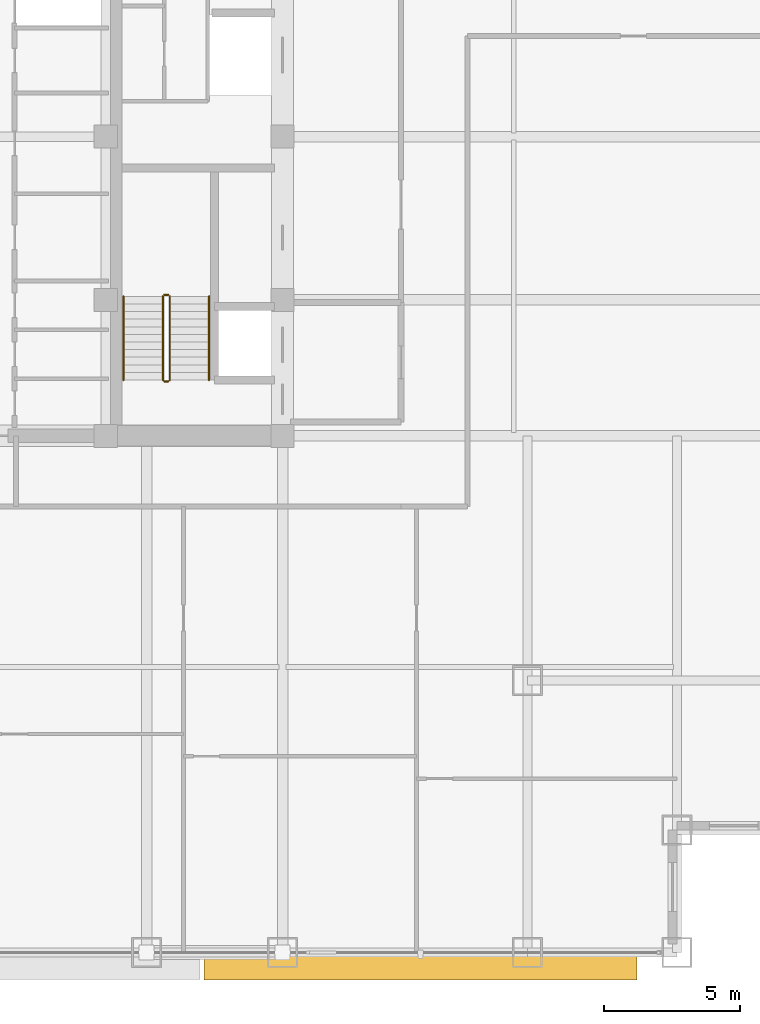
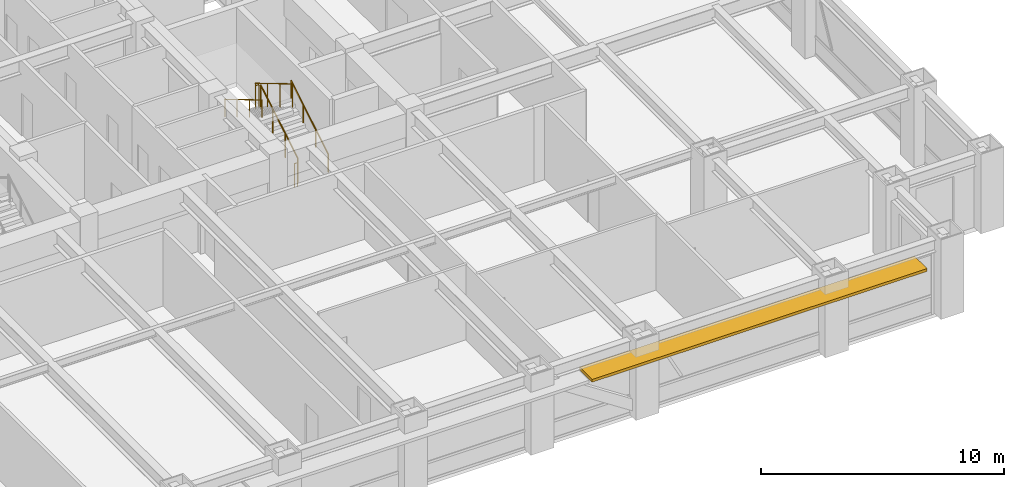
# One storey, part 26 of 28: 6 railings, 1 shading device.
"""IFC4 building model written with IfcOpenShell, lengths in metres."""

from ifc_helpers import new_model, si_unit, direction, frame, origin, origin_2d, place, context, subcontext, project, spatial, rectangle, circle, extrude, source, transform, mapped, material, layer, layer_set, type_object, element, save


model = new_model("IFC4")

# Units and contexts
model_context = context("Model", 3, precision=1e-05, world=origin(), true_north=direction((0.0, 1.0)))
body_context = subcontext(model_context, "Body", "Model", "MODEL_VIEW")
ifc_project = project(units=[si_unit("LENGTHUNIT", "METRE"), si_unit("AREAUNIT", "SQUARE_METRE"), si_unit("VOLUMEUNIT", "CUBIC_METRE"), si_unit("PLANEANGLEUNIT", "RADIAN"), si_unit("MASSUNIT", "GRAM", prefix="KILO")], contexts=[model_context])

# Site, building, storey
site_placement = place(None, origin())
site = spatial("IfcSite", under=ifc_project, at=site_placement, CompositionType="ELEMENT")
building_placement = place(site_placement, origin())
building = spatial("IfcBuilding", under=site, at=building_placement, Name="Khorayat Bourse Tower", CompositionType="ELEMENT")
storey_placement = place(building_placement, frame((0.0, 0.0, 191.10009765625)))
storey = spatial("IfcBuildingStorey", under=building, at=storey_placement, Name="L44", CompositionType="ELEMENT", Elevation=191.10009765625)

# Shading device
ifc_material_1 = material(Name="Precast concrete C45/55", Category="concrete")
ifc_layer = layer(ifc_material_1, 0.139892578125)
ifc_layer_set = layer_set([ifc_layer], Name="Precast concrete C45/55")
shading_device_type = type_object("IfcShadingDeviceType", Name="SHD-WAVE-TRAY-A", PredefinedType="USERDEFINED", material=ifc_layer_set)
shared_shape_1 = source(origin(), body_context, "Body", "SweptSolid", [
    extrude(rectangle(XDim=15.9267578125, YDim=1.02978515625, at=origin_2d()), origin(), (0.0, 0.0, 1.0), 0.139892578125),
])
shading_device_placement = place(storey_placement, frame((16.066650390625, -30.494873046875, 3.02978515625), z_axis=(0.0, 0.0, 1.0), x_axis=(1.0, 0.0, 0.0)))
element("IfcShadingDevice", 1, at=shading_device_placement, inside=storey, type_object=shading_device_type, Name="L44 Sinusoidal Wave Sunshade Tray S-3", ObjectType="SUNSHADE", PredefinedType="USERDEFINED", context=body_context, shape_type="MappedRepresentation", body=[
    mapped(shared_shape_1, transform((0.0, 0.0, 0.0), scale=1.0)),
])

# Railings
ifc_material_2 = material(Name="Powder-coated steel balustrade", Category="steel")
railing_type_1 = type_object("IfcRailingType", Name="RLG-GUARD-1200", PredefinedType="GUARDRAIL", material=ifc_material_2)
shared_shape_2 = source(origin(), body_context, "Body", "SweptSolid", [
    extrude(circle(Radius=0.02392578125, at=origin_2d()), frame((0.0, 0.0, 1.17578125), z_axis=(-1.0, 0.0, 0.0), x_axis=(0.0, -1.0, 0.0)), (0.0, 0.0, 1.0), 0.150146484375),
    extrude(circle(Radius=0.02099609375, at=origin_2d()), origin(), (0.0, 0.0, 1.0), 1.15185546875),
    extrude(circle(Radius=0.02099609375, at=origin_2d()), frame((-0.150146484375, 0.0, 0.0)), (0.0, 0.0, 1.0), 1.15185546875),
])
for number, where, name in (
    (2, (6.800048828125, -5.820068359375, 2.0), "L44 ST-3 stair guard 2"),
    (3, (6.800048828125, -9.0, 0.0), "L44 ST-3 stair guard 4"),
):
    element("IfcRailing", number, at=place(storey_placement, frame(where)), inside=storey, type_object=railing_type_1, Name=name, PredefinedType="GUARDRAIL", context=body_context, shape_type="MappedRepresentation", body=[
        mapped(shared_shape_2, transform((0.0, 0.0, 0.0), scale=1.0)),
    ])
shared_shape_3 = source(origin(), body_context, "Body", "SweptSolid", [
    extrude(circle(Radius=0.02392578125, at=origin_2d()), frame((0.0, 0.0, 1.17578125), z_axis=(0.0, 0.859260807169, 0.511537745687), x_axis=(-1.0, 0.0, 0.0)), (0.0, 0.0, 1.0), 3.584228515625),
    extrude(circle(Radius=0.02099609375, at=origin_2d()), origin(), (0.0, 0.0, 1.0), 1.15185546875),
    extrude(circle(Radius=0.02099609375, at=origin_2d()), frame((0.0, 1.026611328125, 0.611083984375)), (0.0, 0.0, 1.0), 1.15185546875),
    extrude(circle(Radius=0.02099609375, at=origin_2d()), frame((0.0, 2.05322265625, 1.222412109375)), (0.0, 0.0, 1.0), 1.15185546875),
    extrude(circle(Radius=0.02099609375, at=origin_2d()), frame((0.0, 3.079833984375, 1.83349609375)), (0.0, 0.0, 1.0), 1.15185546875),
])
railing_1_placement = place(storey_placement, frame((6.85009765625, -8.949951171875, 0.16650390625)))
element("IfcRailing", 4, at=railing_1_placement, inside=storey, type_object=railing_type_1, Name="L44 ST-3 stair guard 1", PredefinedType="GUARDRAIL", context=body_context, shape_type="MappedRepresentation", body=[
    mapped(shared_shape_3, transform((0.0, 0.0, 0.0), scale=1.0)),
])
shared_shape_4 = source(origin(), body_context, "Body", "SweptSolid", [
    extrude(circle(Radius=0.02392578125, at=origin_2d()), frame((0.0, 0.0, 1.17578125), z_axis=(0.0, -0.859260807169, 0.511537745687), x_axis=(1.0, 0.0, 0.0)), (0.0, 0.0, 1.0), 3.584228515625),
    extrude(circle(Radius=0.02099609375, at=origin_2d()), origin(), (0.0, 0.0, 1.0), 1.15185546875),
    extrude(circle(Radius=0.02099609375, at=origin_2d()), frame((0.0, -1.026611328125, 0.611083984375)), (0.0, 0.0, 1.0), 1.15185546875),
    extrude(circle(Radius=0.02099609375, at=origin_2d()), frame((0.0, -2.05322265625, 1.222412109375)), (0.0, 0.0, 1.0), 1.15185546875),
    extrude(circle(Radius=0.02099609375, at=origin_2d()), frame((0.0, -3.079833984375, 1.83349609375)), (0.0, 0.0, 1.0), 1.15185546875),
])
railing_2_placement = place(storey_placement, frame((6.60009765625, -5.8701171875, 2.16650390625)))
element("IfcRailing", 5, at=railing_2_placement, inside=storey, type_object=railing_type_1, Name="L44 ST-3 stair guard 3", PredefinedType="GUARDRAIL", context=body_context, shape_type="MappedRepresentation", body=[
    mapped(shared_shape_4, transform((0.0, 0.0, 0.0), scale=1.0)),
])
ifc_material_3 = material(Name="Brushed bronze stainless-steel handrail", Category="steel")
railing_type_2 = type_object("IfcRailingType", Name="RLG-HAND-900", PredefinedType="HANDRAIL", material=ifc_material_3)
shared_shape_5 = source(origin(), body_context, "Body", "SweptSolid", [
    extrude(circle(Radius=0.02392578125, at=origin_2d()), frame((0.0, 0.0, 0.8759765625), z_axis=(0.0, 0.859260807169, 0.511537745687), x_axis=(-1.0, 0.0, 0.0)), (0.0, 0.0, 1.0), 3.584228515625),
    extrude(circle(Radius=0.02099609375, at=origin_2d()), origin(), (0.0, 0.0, 1.0), 0.851806640625),
    extrude(circle(Radius=0.02099609375, at=origin_2d()), frame((0.0, 1.026611328125, 0.611083984375)), (0.0, 0.0, 1.0), 0.851806640625),
    extrude(circle(Radius=0.02099609375, at=origin_2d()), frame((0.0, 2.05322265625, 1.222412109375)), (0.0, 0.0, 1.0), 0.851806640625),
    extrude(circle(Radius=0.02099609375, at=origin_2d()), frame((0.0, 3.079833984375, 1.83349609375)), (0.0, 0.0, 1.0), 0.851806640625),
])
railing_3_placement = place(storey_placement, frame((8.300048828125, -8.949951171875, 0.16650390625)))
element("IfcRailing", 6, at=railing_3_placement, inside=storey, type_object=railing_type_2, Name="L44 ST-3 stair handrail 1", PredefinedType="HANDRAIL", context=body_context, shape_type="MappedRepresentation", body=[
    mapped(shared_shape_5, transform((0.0, 0.0, 0.0), scale=1.0)),
])
shared_shape_6 = source(origin(), body_context, "Body", "SweptSolid", [
    extrude(circle(Radius=0.02392578125, at=origin_2d()), frame((0.0, 0.0, 0.8759765625), z_axis=(0.0, -0.859260807169, 0.511537745687), x_axis=(1.0, 0.0, 0.0)), (0.0, 0.0, 1.0), 3.584228515625),
    extrude(circle(Radius=0.02099609375, at=origin_2d()), origin(), (0.0, 0.0, 1.0), 0.851806640625),
    extrude(circle(Radius=0.02099609375, at=origin_2d()), frame((0.0, -1.026611328125, 0.611083984375)), (0.0, 0.0, 1.0), 0.851806640625),
    extrude(circle(Radius=0.02099609375, at=origin_2d()), frame((0.0, -2.05322265625, 1.222412109375)), (0.0, 0.0, 1.0), 0.851806640625),
    extrude(circle(Radius=0.02099609375, at=origin_2d()), frame((0.0, -3.079833984375, 1.83349609375)), (0.0, 0.0, 1.0), 0.851806640625),
])
railing_4_placement = place(storey_placement, frame((5.14990234375, -5.8701171875, 2.16650390625)))
element("IfcRailing", 7, at=railing_4_placement, inside=storey, type_object=railing_type_2, Name="L44 ST-3 stair handrail 2", PredefinedType="HANDRAIL", context=body_context, shape_type="MappedRepresentation", body=[
    mapped(shared_shape_6, transform((0.0, 0.0, 0.0), scale=1.0)),
])

save(model, "model.ifc")
